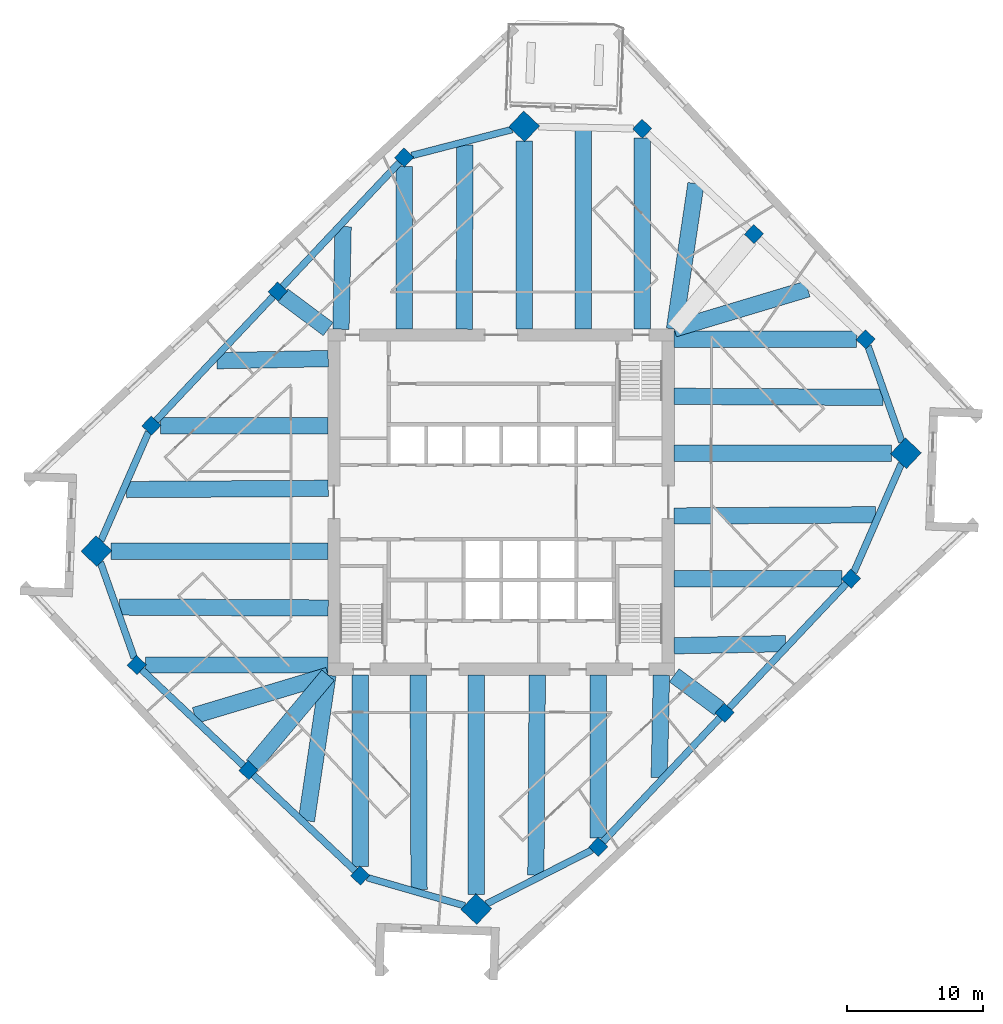
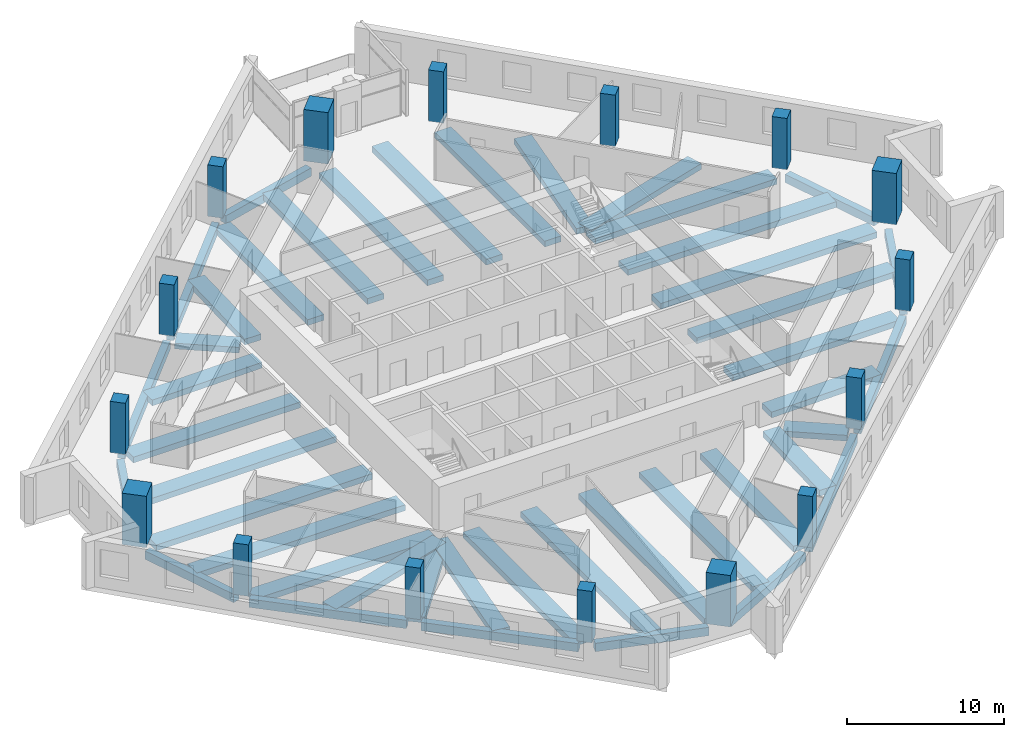
# One storey, part 1 of 10: 44 beams, 16 columns.
"""IFC4 building model written with IfcOpenShell, lengths in metres."""

from ifc_helpers import new_model, si_unit, direction, frame, origin, origin_2d, place, context, subcontext, project, spatial, rectangle, extrude, material, material_profile, profile_set, type_object, element, save


model = new_model("IFC4")

# Units and contexts
model_context = context("Model", 3, precision=1e-05, world=origin(), true_north=direction((0.0, 1.0)))
body_context = subcontext(model_context, "Body", "Model", "MODEL_VIEW")
ifc_project = project(units=[si_unit("LENGTHUNIT", "METRE"), si_unit("AREAUNIT", "SQUARE_METRE"), si_unit("VOLUMEUNIT", "CUBIC_METRE"), si_unit("PLANEANGLEUNIT", "RADIAN"), si_unit("MASSUNIT", "GRAM", prefix="KILO")], contexts=[model_context])

# Site, building, storey
site_placement = place(None, origin())
site = spatial("IfcSite", under=ifc_project, at=site_placement, CompositionType="ELEMENT")
building_placement = place(site_placement, origin())
building = spatial("IfcBuilding", under=site, at=building_placement, Name="Dilmun Exchange Tower", CompositionType="ELEMENT")
storey_placement = place(building_placement, frame((0.0, 0.0, 197.300048828125)))
storey = spatial("IfcBuildingStorey", under=building, at=storey_placement, Name="L46", CompositionType="ELEMENT", Elevation=197.300048828125)

# Columns
ifc_material_1 = material(Name="Concrete C60/75", Category="concrete")
ifc_material_profile_1 = material_profile(ifc_material_1, rectangle(XDim=1.60009765625, YDim=1.60009765625, at=origin_2d()), Name="1600 x 1600")
ifc_profile_set_1 = profile_set([ifc_material_profile_1], Name="Concrete C60/75")
column_type_1 = type_object("IfcColumnType", Name="RC mega column 1600 x 1600 C60/75", PredefinedType="COLUMN", material=ifc_profile_set_1)
for number, where, z_axis, x_axis, name in (
    (1, (1.68505859375, 27.5380859375, 0.0), (0.0, 0.0, 1.0), (0.685916152371, 0.727680583715, 0.0), "Mega column M1"),
    (2, (-29.658935546875, -3.58203125, 0.0), (0.0, 0.0, 1.0), (0.685916152371, 0.727680583715, 0.0), "Mega column M2"),
    (3, (-1.824951171875, -29.818115234375, 0.0), (0.0, 0.0, 1.0), (0.685916152371, 0.727680583715, 0.0), "Mega column M3"),
    (4, (29.658935546875, 3.58203125, 0.0), (0.0, 0.0, 1.0), (0.685916152371, 0.727680583715, 0.0), "Mega column M4"),
):
    element("IfcColumn", number, at=place(storey_placement, frame(where, z_axis=z_axis, x_axis=x_axis)), inside=storey, type_object=column_type_1, Name=name, PredefinedType="COLUMN", context=body_context, shape_type="SweptSolid", body=[
        extrude(rectangle(XDim=1.60009765625, YDim=1.60009765625, at=origin_2d()), origin(), (0.0, 0.0, 1.0), 4.0),
    ])
ifc_material_profile_2 = material_profile(ifc_material_1, rectangle(XDim=1.0, YDim=1.0, at=origin_2d()), Name="1000 x 1000")
ifc_profile_set_2 = profile_set([ifc_material_profile_2], Name="Concrete C60/75")
column_type_2 = type_object("IfcColumnType", Name="RC ring column 1000 x 1000 C60/75", PredefinedType="COLUMN", material=ifc_profile_set_2)
for number, where, z_axis, x_axis, name in (
    (5, (-7.113037109375, 25.257080078125, 0.0), (0.0, 0.0, 1.0), (0.685916152371, 0.727680583715, 0.0), "Ring column R01"),
    (6, (-16.373046875, 15.43310546875, 0.0), (0.0, 0.0, 1.0), (0.685916152371, 0.727680583715, 0.0), "Ring column R02"),
    (7, (-25.633056640625, 5.60888671875, 0.0), (0.0, 0.0, 1.0), (0.685916152371, 0.727680583715, 0.0), "Ring column R03"),
    (8, (-26.7060546875, -11.930908203125, 0.0), (0.0, 0.0, 1.0), (0.685916152371, 0.727680583715, 0.0), "Ring column R04"),
    (9, (-18.52001953125, -19.64697265625, 0.0), (0.0, 0.0, 1.0), (0.685916152371, 0.727680583715, 0.0), "Ring column R05"),
    (10, (-10.3330078125, -27.364013671875, 0.0), (0.0, 0.0, 1.0), (0.685916152371, 0.727680583715, 0.0), "Ring column R06"),
    (11, (7.113037109375, -25.257080078125, 0.0), (0.0, 0.0, 1.0), (0.685916152371, 0.727680583715, 0.0), "Ring column R07"),
    (12, (16.373046875, -15.43310546875, 0.0), (0.0, 0.0, 1.0), (0.685916152371, 0.727680583715, 0.0), "Ring column R08"),
    (13, (25.633056640625, -5.60888671875, 0.0), (0.0, 0.0, 1.0), (0.685916152371, 0.727680583715, 0.0), "Ring column R09"),
    (14, (26.7060546875, 11.930908203125, 0.0), (0.0, 0.0, 1.0), (0.685916152371, 0.727680583715, 0.0), "Ring column R10"),
    (15, (18.52001953125, 19.64697265625, 0.0), (0.0, 0.0, 1.0), (0.685916152371, 0.727680583715, 0.0), "Ring column R11"),
    (16, (10.3330078125, 27.364013671875, 0.0), (0.0, 0.0, 1.0), (0.685916152371, 0.727680583715, 0.0), "Ring column R12"),
):
    element("IfcColumn", number, at=place(storey_placement, frame(where, z_axis=z_axis, x_axis=x_axis)), inside=storey, type_object=column_type_2, Name=name, PredefinedType="COLUMN", context=body_context, shape_type="SweptSolid", body=[
        extrude(rectangle(XDim=1.0, YDim=1.0, at=origin_2d()), origin(), (0.0, 0.0, 1.0), 4.0),
    ])

# Beams
ifc_material_2 = material(Name="Concrete C40/50", Category="concrete")
ifc_material_profile_3 = material_profile(ifc_material_2, rectangle(XDim=1.199951171875, YDim=0.449951171875, at=origin_2d()), Name="1200 x 450")
ifc_profile_set_3 = profile_set([ifc_material_profile_3], Name="Concrete C40/50")
beam_type_1 = type_object("IfcBeamType", Name="RC band beam 1200 x 450 C40/50", PredefinedType="BEAM", material=ifc_profile_set_3)
beam_1_placement = place(storey_placement, frame((1.68505859375, 26.465576171875, -0.705078125), z_axis=(0.0, -1.0, 0.0), x_axis=(1.0, 0.0, 0.0)))
element("IfcBeam", 17, at=beam_1_placement, inside=storey, type_object=beam_type_1, Name="Band beam 1", PredefinedType="BEAM", context=body_context, shape_type="SweptSolid", body=[
    extrude(rectangle(XDim=1.199951171875, YDim=0.449951171875, at=origin_2d()), origin(), (0.0, 0.0, 1.0), 13.79248046875),
])
beam_2_placement = place(storey_placement, frame((-7.113037109375, 24.596923828125, -0.705078125), z_axis=(0.0, -1.0, 0.0), x_axis=(1.0, 0.0, 0.0)))
element("IfcBeam", 18, at=beam_2_placement, inside=storey, type_object=beam_type_1, Name="Band beam 2", PredefinedType="BEAM", context=body_context, shape_type="SweptSolid", body=[
    extrude(rectangle(XDim=1.199951171875, YDim=0.449951171875, at=origin_2d()), origin(), (0.0, 0.0, 1.0), 11.923828125),
])
beam_3_placement = place(storey_placement, frame((-15.99072265625, 15.148681640625, -0.705078125), z_axis=(0.802264832552, -0.596968289317, 0.0), x_axis=(0.596968289317, 0.802264832552, 0.0)))
element("IfcBeam", 19, at=beam_3_placement, inside=storey, type_object=beam_type_1, Name="Band beam 3", PredefinedType="BEAM", context=body_context, shape_type="SweptSolid", body=[
    extrude(rectangle(XDim=1.199951171875, YDim=0.449951171875, at=origin_2d()), origin(), (0.0, 0.0, 1.0), 4.12890625),
])
beam_4_placement = place(storey_placement, frame((-24.972900390625, 5.60888671875, -0.705078125), z_axis=(1.0, 0.0, 0.0), x_axis=(0.0, 1.0, 0.0)))
element("IfcBeam", 20, at=beam_4_placement, inside=storey, type_object=beam_type_1, Name="Band beam 4", PredefinedType="BEAM", context=body_context, shape_type="SweptSolid", body=[
    extrude(rectangle(XDim=1.199951171875, YDim=0.449951171875, at=origin_2d()), origin(), (0.0, 0.0, 1.0), 12.2998046875),
])
beam_5_placement = place(storey_placement, frame((-28.586669921875, -3.58203125, -0.705078125), z_axis=(1.0, 0.0, 0.0), x_axis=(0.0, 1.0, 0.0)))
element("IfcBeam", 21, at=beam_5_placement, inside=storey, type_object=beam_type_1, Name="Band beam 5", PredefinedType="BEAM", context=body_context, shape_type="SweptSolid", body=[
    extrude(rectangle(XDim=1.199951171875, YDim=0.449951171875, at=origin_2d()), origin(), (0.0, 0.0, 1.0), 15.91357421875),
])
beam_6_placement = place(storey_placement, frame((-26.0458984375, -11.930908203125, -0.705078125), z_axis=(1.0, 0.0, 0.0), x_axis=(0.0, 1.0, 0.0)))
element("IfcBeam", 22, at=beam_6_placement, inside=storey, type_object=beam_type_1, Name="Band beam 6", PredefinedType="BEAM", context=body_context, shape_type="SweptSolid", body=[
    extrude(rectangle(XDim=1.199951171875, YDim=0.449951171875, at=origin_2d()), origin(), (0.0, 0.0, 1.0), 13.372802734375),
])
beam_7_placement = place(storey_placement, frame((-18.2158203125, -19.28369140625, -0.705078125), z_axis=(0.642200063897, 0.766537068856, 0.0), x_axis=(-0.766537068856, 0.642200063897, 0.0)))
element("IfcBeam", 23, at=beam_7_placement, inside=storey, type_object=beam_type_1, Name="Band beam 7", PredefinedType="BEAM", context=body_context, shape_type="SweptSolid", body=[
    extrude(rectangle(XDim=1.199951171875, YDim=0.449951171875, at=origin_2d()), origin(), (0.0, 0.0, 1.0), 8.615966796875),
])
beam_8_placement = place(storey_placement, frame((-10.3330078125, -26.703857421875, -0.705078125), z_axis=(0.0, 1.0, 0.0), x_axis=(-1.0, 0.0, 0.0)))
element("IfcBeam", 24, at=beam_8_placement, inside=storey, type_object=beam_type_1, Name="Band beam 8", PredefinedType="BEAM", context=body_context, shape_type="SweptSolid", body=[
    extrude(rectangle(XDim=1.199951171875, YDim=0.449951171875, at=origin_2d()), origin(), (0.0, 0.0, 1.0), 14.03076171875),
])
beam_9_placement = place(storey_placement, frame((-1.824951171875, -28.74560546875, -0.705078125), z_axis=(0.0, 1.0, 0.0), x_axis=(-1.0, 0.0, 0.0)))
element("IfcBeam", 25, at=beam_9_placement, inside=storey, type_object=beam_type_1, Name="Band beam 9", PredefinedType="BEAM", context=body_context, shape_type="SweptSolid", body=[
    extrude(rectangle(XDim=1.199951171875, YDim=0.449951171875, at=origin_2d()), origin(), (0.0, 0.0, 1.0), 16.072509765625),
])
beam_10_placement = place(storey_placement, frame((7.113037109375, -24.596923828125, -0.705078125), z_axis=(0.0, 1.0, 0.0), x_axis=(-1.0, 0.0, 0.0)))
element("IfcBeam", 26, at=beam_10_placement, inside=storey, type_object=beam_type_1, Name="Band beam 10", PredefinedType="BEAM", context=body_context, shape_type="SweptSolid", body=[
    extrude(rectangle(XDim=1.199951171875, YDim=0.449951171875, at=origin_2d()), origin(), (0.0, 0.0, 1.0), 11.923828125),
])
beam_11_placement = place(storey_placement, frame((15.99072265625, -15.148681640625, -0.705078125), z_axis=(-0.802264832552, 0.596968289317, 0.0), x_axis=(-0.596968289317, -0.802264832552, 0.0)))
element("IfcBeam", 27, at=beam_11_placement, inside=storey, type_object=beam_type_1, Name="Band beam 11", PredefinedType="BEAM", context=body_context, shape_type="SweptSolid", body=[
    extrude(rectangle(XDim=1.199951171875, YDim=0.449951171875, at=origin_2d()), origin(), (0.0, 0.0, 1.0), 4.12890625),
])
beam_12_placement = place(storey_placement, frame((24.972900390625, -5.60888671875, -0.705078125), z_axis=(-1.0, 0.0, 0.0), x_axis=(0.0, -1.0, 0.0)))
element("IfcBeam", 28, at=beam_12_placement, inside=storey, type_object=beam_type_1, Name="Band beam 12", PredefinedType="BEAM", context=body_context, shape_type="SweptSolid", body=[
    extrude(rectangle(XDim=1.199951171875, YDim=0.449951171875, at=origin_2d()), origin(), (0.0, 0.0, 1.0), 12.2998046875),
])
beam_13_placement = place(storey_placement, frame((28.586669921875, 3.58203125, -0.705078125), z_axis=(-1.0, 0.0, 0.0), x_axis=(0.0, -1.0, 0.0)))
element("IfcBeam", 29, at=beam_13_placement, inside=storey, type_object=beam_type_1, Name="Band beam 13", PredefinedType="BEAM", context=body_context, shape_type="SweptSolid", body=[
    extrude(rectangle(XDim=1.199951171875, YDim=0.449951171875, at=origin_2d()), origin(), (0.0, 0.0, 1.0), 15.91357421875),
])
beam_14_placement = place(storey_placement, frame((26.0458984375, 11.930908203125, -0.705078125), z_axis=(-1.0, 0.0, 0.0), x_axis=(0.0, -1.0, 0.0)))
element("IfcBeam", 30, at=beam_14_placement, inside=storey, type_object=beam_type_1, Name="Band beam 14", PredefinedType="BEAM", context=body_context, shape_type="SweptSolid", body=[
    extrude(rectangle(XDim=1.199951171875, YDim=0.449951171875, at=origin_2d()), origin(), (0.0, 0.0, 1.0), 13.372802734375),
])
beam_15_placement = place(storey_placement, frame((10.3330078125, 26.703857421875, -0.705078125), z_axis=(0.0, -1.0, 0.0), x_axis=(1.0, 0.0, 0.0)))
element("IfcBeam", 31, at=beam_15_placement, inside=storey, type_object=beam_type_1, Name="Band beam 16", PredefinedType="BEAM", context=body_context, shape_type="SweptSolid", body=[
    extrude(rectangle(XDim=1.199951171875, YDim=0.449951171875, at=origin_2d()), origin(), (0.0, 0.0, 1.0), 14.03076171875),
])
beam_16_placement = place(storey_placement, frame((-2.657958984375, 26.181640625, -0.60498046875), z_axis=(-0.004156765881, -0.999991360611, 0.0), x_axis=(0.999991360611, -0.004156765881, 0.0)))
element("IfcBeam", 32, at=beam_16_placement, inside=storey, type_object=beam_type_1, Name="Band beam 17", PredefinedType="BEAM", context=body_context, shape_type="SweptSolid", body=[
    extrude(rectangle(XDim=1.199951171875, YDim=0.449951171875, at=origin_2d()), origin(), (0.0, 0.0, 1.0), 13.508544921875),
])
beam_17_placement = place(storey_placement, frame((-11.580810546875, 20.19189453125, -0.60498046875), z_axis=(-0.021555532074, -0.999767652526, 0.0), x_axis=(0.999767652526, -0.021555532074, 0.0)))
element("IfcBeam", 33, at=beam_17_placement, inside=storey, type_object=beam_type_1, Name="Band beam 18", PredefinedType="BEAM", context=body_context, shape_type="SweptSolid", body=[
    extrude(rectangle(XDim=1.199951171875, YDim=0.449951171875, at=origin_2d()), origin(), (0.0, 0.0, 1.0), 7.5205078125),
])
beam_18_placement = place(storey_placement, frame((-20.8408203125, 10.367919921875, -0.60498046875), z_axis=(0.999824422594, 0.018738302585, 0.0), x_axis=(-0.018738302585, 0.999824422594, 0.0)))
element("IfcBeam", 34, at=beam_18_placement, inside=storey, type_object=beam_type_1, Name="Band beam 19", PredefinedType="BEAM", context=body_context, shape_type="SweptSolid", body=[
    extrude(rectangle(XDim=1.199951171875, YDim=0.449951171875, at=origin_2d()), origin(), (0.0, 0.0, 1.0), 8.169189453125),
])
beam_19_placement = place(storey_placement, frame((-27.441650390625, 0.924072265625, -0.60498046875), z_axis=(0.999981696912, 0.006050276087, 0.0), x_axis=(-0.006050276087, 0.999981696912, 0.0)))
element("IfcBeam", 35, at=beam_19_placement, inside=storey, type_object=beam_type_1, Name="Band beam 20", PredefinedType="BEAM", context=body_context, shape_type="SweptSolid", body=[
    extrude(rectangle(XDim=1.199951171875, YDim=0.449951171875, at=origin_2d()), origin(), (0.0, 0.0, 1.0), 14.768798828125),
])
beam_20_placement = place(storey_placement, frame((-27.972412109375, -7.68212890625, -0.60498046875), z_axis=(0.99998815601, -0.004867015408, 0.0), x_axis=(0.004867015408, 0.99998815601, 0.0)))
element("IfcBeam", 36, at=beam_20_placement, inside=storey, type_object=beam_type_1, Name="Band beam 21", PredefinedType="BEAM", context=body_context, shape_type="SweptSolid", body=[
    extrude(rectangle(XDim=1.199951171875, YDim=0.449951171875, at=origin_2d()), origin(), (0.0, 0.0, 1.0), 15.299560546875),
])
beam_21_placement = place(storey_placement, frame((-22.4599609375, -15.626708984375, -0.60498046875), z_axis=(0.957849959988, 0.287268957862, 0.0), x_axis=(-0.287268957862, 0.957849959988, 0.0)))
element("IfcBeam", 37, at=beam_21_placement, inside=storey, type_object=beam_type_1, Name="Band beam 22", PredefinedType="BEAM", context=body_context, shape_type="SweptSolid", body=[
    extrude(rectangle(XDim=1.199951171875, YDim=0.449951171875, at=origin_2d()), origin(), (0.0, 0.0, 1.0), 10.21630859375),
])
beam_22_placement = place(storey_placement, frame((-14.2734375, -23.34326171875, -0.60498046875), z_axis=(0.146268101323, 0.989244986106, 0.0), x_axis=(-0.989244986106, 0.146268101323, 0.0)))
element("IfcBeam", 38, at=beam_22_placement, inside=storey, type_object=beam_type_1, Name="Band beam 23", PredefinedType="BEAM", context=body_context, shape_type="SweptSolid", body=[
    extrude(rectangle(XDim=1.199951171875, YDim=0.449951171875, at=origin_2d()), origin(), (0.0, 0.0, 1.0), 10.785888671875),
])
beam_23_placement = place(storey_placement, frame((-6.01708984375, -28.376708984375, -0.60498046875), z_axis=(-0.003948851398, 0.999992203256, 0.0), x_axis=(-0.999992203256, -0.003948851398, 0.0)))
element("IfcBeam", 39, at=beam_23_placement, inside=storey, type_object=beam_type_1, Name="Band beam 24", PredefinedType="BEAM", context=body_context, shape_type="SweptSolid", body=[
    extrude(rectangle(XDim=1.199951171875, YDim=0.449951171875, at=origin_2d()), origin(), (0.0, 0.0, 1.0), 15.703857421875),
])
beam_24_placement = place(storey_placement, frame((2.54248046875, -27.3388671875, -0.60498046875), z_axis=(0.006924972536, 0.99997602209, 0.0), x_axis=(-0.99997602209, 0.006924972536, 0.0)))
element("IfcBeam", 40, at=beam_24_placement, inside=storey, type_object=beam_type_1, Name="Band beam 25", PredefinedType="BEAM", context=body_context, shape_type="SweptSolid", body=[
    extrude(rectangle(XDim=1.199951171875, YDim=0.449951171875, at=origin_2d()), origin(), (0.0, 0.0, 1.0), 14.666015625),
])
beam_25_placement = place(storey_placement, frame((11.580810546875, -20.19189453125, -0.60498046875), z_axis=(0.021555532074, 0.999767652526, 0.0), x_axis=(-0.999767652526, 0.021555532074, 0.0)))
element("IfcBeam", 41, at=beam_25_placement, inside=storey, type_object=beam_type_1, Name="Band beam 26", PredefinedType="BEAM", context=body_context, shape_type="SweptSolid", body=[
    extrude(rectangle(XDim=1.199951171875, YDim=0.449951171875, at=origin_2d()), origin(), (0.0, 0.0, 1.0), 7.5205078125),
])
beam_26_placement = place(storey_placement, frame((20.8408203125, -10.367919921875, -0.60498046875), z_axis=(-0.999824422594, -0.018738302585, 0.0), x_axis=(0.018738302585, -0.999824422594, 0.0)))
element("IfcBeam", 42, at=beam_26_placement, inside=storey, type_object=beam_type_1, Name="Band beam 27", PredefinedType="BEAM", context=body_context, shape_type="SweptSolid", body=[
    extrude(rectangle(XDim=1.199951171875, YDim=0.449951171875, at=origin_2d()), origin(), (0.0, 0.0, 1.0), 8.169189453125),
])
beam_27_placement = place(storey_placement, frame((27.441650390625, -0.924072265625, -0.60498046875), z_axis=(-0.999981696912, -0.006050276087, 0.0), x_axis=(0.006050276087, -0.999981696912, 0.0)))
element("IfcBeam", 43, at=beam_27_placement, inside=storey, type_object=beam_type_1, Name="Band beam 28", PredefinedType="BEAM", context=body_context, shape_type="SweptSolid", body=[
    extrude(rectangle(XDim=1.199951171875, YDim=0.449951171875, at=origin_2d()), origin(), (0.0, 0.0, 1.0), 14.768798828125),
])
beam_28_placement = place(storey_placement, frame((27.972412109375, 7.68212890625, -0.60498046875), z_axis=(-0.99998815601, 0.004867015408, 0.0), x_axis=(-0.004867015408, -0.99998815601, 0.0)))
element("IfcBeam", 44, at=beam_28_placement, inside=storey, type_object=beam_type_1, Name="Band beam 29", PredefinedType="BEAM", context=body_context, shape_type="SweptSolid", body=[
    extrude(rectangle(XDim=1.199951171875, YDim=0.449951171875, at=origin_2d()), origin(), (0.0, 0.0, 1.0), 15.299560546875),
])
beam_29_placement = place(storey_placement, frame((22.4599609375, 15.626708984375, -0.60498046875), z_axis=(-0.957849959988, -0.287268957862, 0.0), x_axis=(0.287268957862, -0.957849959988, 0.0)))
element("IfcBeam", 45, at=beam_29_placement, inside=storey, type_object=beam_type_1, Name="Band beam 30", PredefinedType="BEAM", context=body_context, shape_type="SweptSolid", body=[
    extrude(rectangle(XDim=1.199951171875, YDim=0.449951171875, at=origin_2d()), origin(), (0.0, 0.0, 1.0), 10.21630859375),
])
beam_30_placement = place(storey_placement, frame((14.2734375, 23.34326171875, -0.60498046875), z_axis=(-0.146268101323, -0.989244986106, 0.0), x_axis=(0.989244986106, -0.146268101323, 0.0)))
element("IfcBeam", 46, at=beam_30_placement, inside=storey, type_object=beam_type_1, Name="Band beam 31", PredefinedType="BEAM", context=body_context, shape_type="SweptSolid", body=[
    extrude(rectangle(XDim=1.199951171875, YDim=0.449951171875, at=origin_2d()), origin(), (0.0, 0.0, 1.0), 10.785888671875),
])
beam_31_placement = place(storey_placement, frame((6.00439453125, 27.22802734375, -0.60498046875), z_axis=(0.000318701025, -0.999999949215, 0.0), x_axis=(0.999999949215, 0.000318701025, 0.0)))
element("IfcBeam", 47, at=beam_31_placement, inside=storey, type_object=beam_type_1, Name="Band beam 32", PredefinedType="BEAM", context=body_context, shape_type="SweptSolid", body=[
    extrude(rectangle(XDim=1.199951171875, YDim=0.449951171875, at=origin_2d()), origin(), (0.0, 0.0, 1.0), 14.554931640625),
])
ifc_material_profile_4 = material_profile(ifc_material_2, rectangle(XDim=0.5, YDim=0.64990234375, at=origin_2d()), Name="500 x 650")
ifc_profile_set_4 = profile_set([ifc_material_profile_4], Name="Concrete C40/50")
beam_type_2 = type_object("IfcBeamType", Name="RC ring beam 500 x 650 C40/50", PredefinedType="SPANDREL", material=ifc_profile_set_4)
beam_32_placement = place(storey_placement, frame((0.79638671875, 27.3076171875, -0.705078125), z_axis=(-0.967995165605, -0.250968841424, 0.0), x_axis=(0.250968841424, -0.967995165605, 0.0)))
element("IfcBeam", 48, at=beam_32_placement, inside=storey, type_object=beam_type_2, Name="Ring beam 1", PredefinedType="SPANDREL", context=body_context, shape_type="SweptSolid", body=[
    extrude(rectangle(XDim=0.5, YDim=0.64990234375, at=origin_2d()), origin(), (0.0, 0.0, 1.0), 7.607177734375),
])
for number, where, z_axis, x_axis, name in (
    (49, (-7.4375, 24.912841796875, -0.705078125), (-0.685902559512, -0.727693396188, 0.0), (0.727693396188, -0.685902559512, 0.0), "Ring beam 2"),
    (50, (-16.697509765625, 15.0888671875, -0.705078125), (-0.685902559512, -0.727693396188, 0.0), (0.727693396188, -0.685902559512, 0.0), "Ring beam 3"),
):
    element("IfcBeam", number, at=place(storey_placement, frame(where, z_axis=z_axis, x_axis=x_axis)), inside=storey, type_object=beam_type_2, Name=name, PredefinedType="SPANDREL", context=body_context, shape_type="SweptSolid", body=[
        extrude(rectangle(XDim=0.5, YDim=0.64990234375, at=origin_2d()), origin(), (0.0, 0.0, 1.0), 12.554443359375),
    ])
beam_33_placement = place(storey_placement, frame((-25.835205078125, 5.1474609375, -0.705078125), z_axis=(-0.401239440722, -0.915973204416, 0.0), x_axis=(0.915973204416, -0.401239440722, 0.0)))
element("IfcBeam", 51, at=beam_33_placement, inside=storey, type_object=beam_type_2, Name="Ring beam 4", PredefinedType="SPANDREL", context=body_context, shape_type="SweptSolid", body=[
    extrude(rectangle(XDim=0.5, YDim=0.64990234375, at=origin_2d()), origin(), (0.0, 0.0, 1.0), 8.707763671875),
])
beam_34_placement = place(storey_placement, frame((-29.367919921875, -4.404541015625, -0.705078125), z_axis=(0.333423578623, -0.942777130195, 0.0), x_axis=(0.942777130195, 0.333423578623, 0.0)))
element("IfcBeam", 52, at=beam_34_placement, inside=storey, type_object=beam_type_2, Name="Ring beam 5", PredefinedType="SPANDREL", context=body_context, shape_type="SweptSolid", body=[
    extrude(rectangle(XDim=0.5, YDim=0.64990234375, at=origin_2d()), origin(), (0.0, 0.0, 1.0), 7.4482421875),
])
beam_35_placement = place(storey_placement, frame((-26.36181640625, -12.25537109375, -0.705078125), z_axis=(0.727685706374, -0.68591071776, 0.0), x_axis=(0.68591071776, 0.727685706374, 0.0)))
element("IfcBeam", 53, at=beam_35_placement, inside=storey, type_object=beam_type_2, Name="Ring beam 6", PredefinedType="SPANDREL", context=body_context, shape_type="SweptSolid", body=[
    extrude(rectangle(XDim=0.5, YDim=0.64990234375, at=origin_2d()), origin(), (0.0, 0.0, 1.0), 10.30322265625),
])
beam_36_placement = place(storey_placement, frame((-18.17578125, -19.971435546875, -0.705078125), z_axis=(0.727682990869, -0.685913598641, 0.0), x_axis=(0.685913598641, 0.727682990869, 0.0)))
element("IfcBeam", 54, at=beam_36_placement, inside=storey, type_object=beam_type_2, Name="Ring beam 7", PredefinedType="SPANDREL", context=body_context, shape_type="SweptSolid", body=[
    extrude(rectangle(XDim=0.5, YDim=0.64990234375, at=origin_2d()), origin(), (0.0, 0.0, 1.0), 10.3046875),
])
beam_37_placement = place(storey_placement, frame((-9.818603515625, -27.51220703125, -0.705078125), z_axis=(0.960825605861, -0.277153666983, 0.0), x_axis=(0.277153666983, 0.960825605861, 0.0)))
element("IfcBeam", 55, at=beam_37_placement, inside=storey, type_object=beam_type_2, Name="Ring beam 8", PredefinedType="SPANDREL", context=body_context, shape_type="SweptSolid", body=[
    extrude(rectangle(XDim=0.5, YDim=0.64990234375, at=origin_2d()), origin(), (0.0, 0.0, 1.0), 7.447021484375),
])
beam_38_placement = place(storey_placement, frame((-1.09228515625, -29.444091796875, -0.705078125), z_axis=(0.89072990219, 0.454532992581, 0.0), x_axis=(-0.454532992581, 0.89072990219, 0.0)))
element("IfcBeam", 56, at=beam_38_placement, inside=storey, type_object=beam_type_2, Name="Ring beam 9", PredefinedType="SPANDREL", context=body_context, shape_type="SweptSolid", body=[
    extrude(rectangle(XDim=0.5, YDim=0.64990234375, at=origin_2d()), origin(), (0.0, 0.0, 1.0), 8.707763671875),
])
for number, where, z_axis, x_axis, name in (
    (57, (7.4375, -24.912841796875, -0.705078125), (0.685902559512, 0.727693396188, 0.0), (-0.727693396188, 0.685902559512, 0.0), "Ring beam 10"),
    (58, (16.697509765625, -15.0888671875, -0.705078125), (0.685902559512, 0.727693396188, 0.0), (-0.727693396188, 0.685902559512, 0.0), "Ring beam 11"),
):
    element("IfcBeam", number, at=place(storey_placement, frame(where, z_axis=z_axis, x_axis=x_axis)), inside=storey, type_object=beam_type_2, Name=name, PredefinedType="SPANDREL", context=body_context, shape_type="SweptSolid", body=[
        extrude(rectangle(XDim=0.5, YDim=0.64990234375, at=origin_2d()), origin(), (0.0, 0.0, 1.0), 12.554443359375),
    ])
beam_39_placement = place(storey_placement, frame((25.835205078125, -5.1474609375, -0.705078125), z_axis=(0.401239440722, 0.915973204416, 0.0), x_axis=(-0.915973204416, 0.401239440722, 0.0)))
element("IfcBeam", 59, at=beam_39_placement, inside=storey, type_object=beam_type_2, Name="Ring beam 12", PredefinedType="SPANDREL", context=body_context, shape_type="SweptSolid", body=[
    extrude(rectangle(XDim=0.5, YDim=0.64990234375, at=origin_2d()), origin(), (0.0, 0.0, 1.0), 8.707763671875),
])
beam_40_placement = place(storey_placement, frame((29.367919921875, 4.404541015625, -0.705078125), z_axis=(-0.333423578623, 0.942777130195, 0.0), x_axis=(-0.942777130195, -0.333423578623, 0.0)))
element("IfcBeam", 60, at=beam_40_placement, inside=storey, type_object=beam_type_2, Name="Ring beam 13", PredefinedType="SPANDREL", context=body_context, shape_type="SweptSolid", body=[
    extrude(rectangle(XDim=0.5, YDim=0.64990234375, at=origin_2d()), origin(), (0.0, 0.0, 1.0), 7.4482421875),
])

save(model, "model.ifc")
